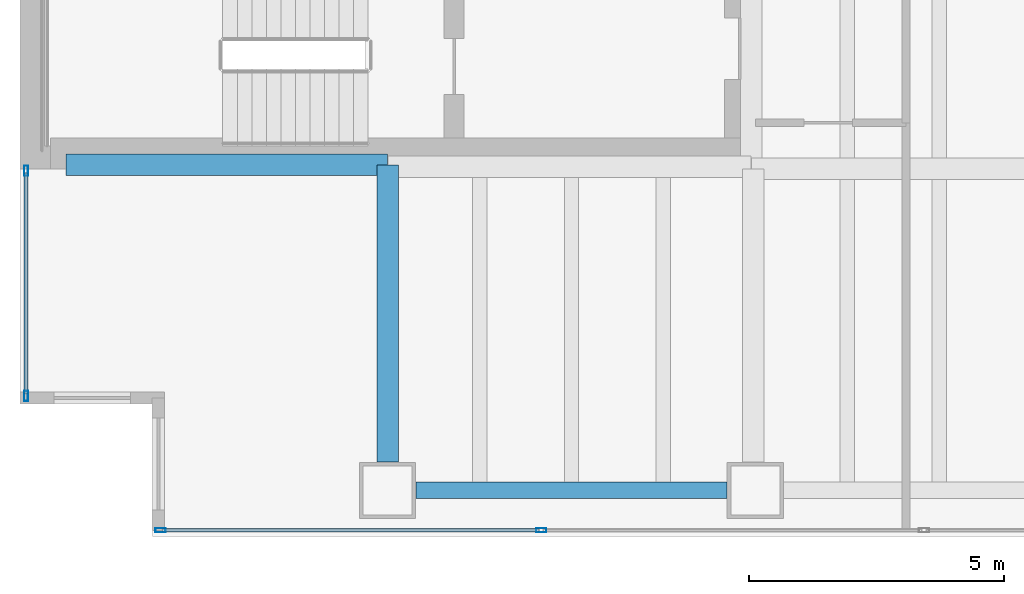
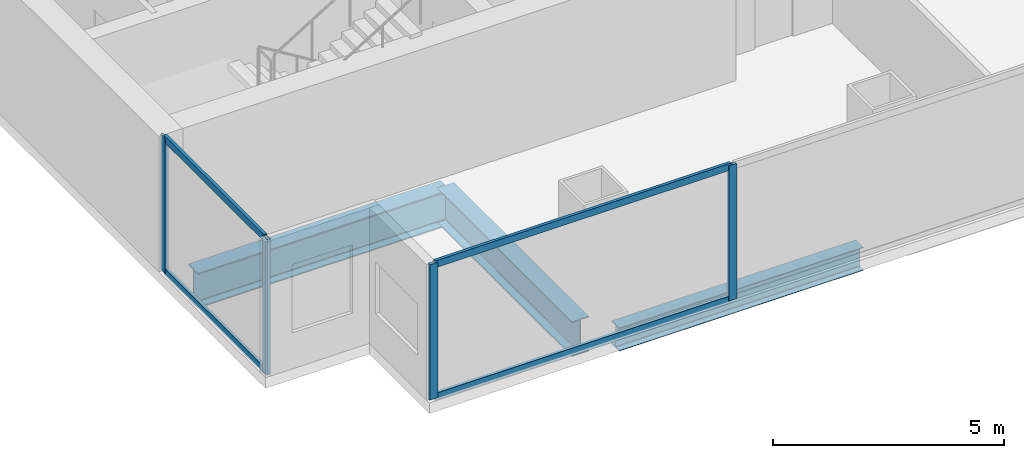
# One storey, part 2 of 25: 8 members, 3 beams, 2 elements without a shape of their own.
"""IFC4 building model written with IfcOpenShell, lengths in metres."""

from ifc_helpers import new_model, si_unit, direction, frame, origin, origin_2d, place, context, subcontext, project, spatial, hollow_rectangle, i_section, extrude, material, material_profile, profile_set, type_object, element, aggregate, save


model = new_model("IFC4")

# Units and contexts
model_context = context("Model", 3, precision=1e-05, world=origin(), true_north=direction((0.0, 1.0)))
body_context = subcontext(model_context, "Body", "Model", "MODEL_VIEW")
ifc_project = project(units=[si_unit("LENGTHUNIT", "METRE"), si_unit("AREAUNIT", "SQUARE_METRE"), si_unit("VOLUMEUNIT", "CUBIC_METRE"), si_unit("PLANEANGLEUNIT", "RADIAN"), si_unit("MASSUNIT", "GRAM", prefix="KILO")], contexts=[model_context])

# Site, building, storey
site_placement = place(None, origin())
site = spatial("IfcSite", under=ifc_project, at=site_placement, CompositionType="ELEMENT")
building_placement = place(site_placement, origin())
building = spatial("IfcBuilding", under=site, at=building_placement, Name="Cobrela Telecom Tower", CompositionType="ELEMENT")
storey_placement = place(building_placement, frame((0.0, 0.0, 35.0)))
storey = spatial("IfcBuildingStorey", under=building, at=storey_placement, Name="L08", CompositionType="ELEMENT", Elevation=35.0)

# Beams
ifc_material_1 = material(Name="Steel ASTM A992 Grade 50", Category="steel")
ifc_material_profile_1 = material_profile(ifc_material_1, i_section(OverallWidth=0.4189453125, OverallDepth=0.927001953125, WebThickness=0.019287109375, FlangeThickness=0.031982421875, FilletRadius=0.02392578125, at=origin_2d()), Name="W36X231")
ifc_profile_set_1 = profile_set([ifc_material_profile_1], Name="Steel ASTM A992 Grade 50")
beam_type_1 = type_object("IfcBeamType", Name="BM-GIRD-02", PredefinedType="USERDEFINED", material=ifc_profile_set_1)
beam_1_placement = place(storey_placement, frame((0.905029296875, 7.280029296875, -0.743408203125), z_axis=(1.0, 0.0, 0.0), x_axis=(0.0, 1.0, 0.0)))
element("IfcBeam", 1, at=beam_1_placement, inside=storey, type_object=beam_type_1, Name="L08 Primary Girder X06", ObjectType="GIRDER", PredefinedType="USERDEFINED", context=body_context, shape_type="SweptSolid", body=[
    extrude(i_section(OverallWidth=0.4189453125, OverallDepth=0.927001953125, WebThickness=0.019287109375, FlangeThickness=0.031982421875, FilletRadius=0.02392578125, at=origin_2d()), origin(), (0.0, 0.0, 1.0), 6.2900390625),
])
beam_2_placement = place(storey_placement, frame((7.199951171875, 1.455078125, -0.743408203125), z_axis=(0.0, 1.0, 0.0), x_axis=(-1.0, 0.0, 0.0)))
element("IfcBeam", 2, at=beam_2_placement, inside=storey, type_object=beam_type_1, Name="L08 Primary Girder Y32", ObjectType="GIRDER", PredefinedType="USERDEFINED", context=body_context, shape_type="SweptSolid", body=[
    extrude(i_section(OverallWidth=0.4189453125, OverallDepth=0.927001953125, WebThickness=0.019287109375, FlangeThickness=0.031982421875, FilletRadius=0.02392578125, at=origin_2d()), origin(), (0.0, 0.0, 1.0), 5.81982421875),
])
ifc_material_profile_2 = material_profile(ifc_material_1, i_section(OverallWidth=0.324951171875, OverallDepth=0.612060546875, WebThickness=0.0126953125, FlangeThickness=0.01904296875, FilletRadius=0.014892578125, at=origin_2d()), Name="W24X104")
ifc_profile_set_2 = profile_set([ifc_material_profile_2], Name="Steel ASTM A992 Grade 50")
beam_type_2 = type_object("IfcBeamType", Name="BM-SPAND-02", PredefinedType="SPANDREL", material=ifc_profile_set_2)
beam_3_placement = place(storey_placement, frame((7.7548828125, 0.89990234375, -0.5859375), z_axis=(1.0, 0.0, 0.0), x_axis=(0.0, 1.0, 0.0)))
element("IfcBeam", 3, at=beam_3_placement, inside=storey, type_object=beam_type_2, Name="L08 Perimeter Spandrel X01", PredefinedType="SPANDREL", context=body_context, shape_type="SweptSolid", body=[
    extrude(i_section(OverallWidth=0.324951171875, OverallDepth=0.612060546875, WebThickness=0.0126953125, FlangeThickness=0.01904296875, FilletRadius=0.014892578125, at=origin_2d()), origin(), (0.0, 0.0, 1.0), 6.090087890625),
])

# Curtain wall, members
ifc_material_2 = material(Name="Anodized Bronze Aluminium 6063-T6", Category="aluminium")
curtain_wall_type = type_object("IfcCurtainWallType", Name="CW-SYS-DATA", PredefinedType="USERDEFINED", material=ifc_material_2)
curtain_wall_1_placement = place(storey_placement, origin())
curtain_wall_1 = element("IfcCurtainWall", 4, at=curtain_wall_1_placement, inside=storey, type_object=curtain_wall_type, Name="L08 Unitised Bronze Curtain Wall 03", ObjectType="UNITISED CURTAIN WALL", PredefinedType="USERDEFINED")
ifc_material_profile_3 = material_profile(ifc_material_2, hollow_rectangle(XDim=0.080078125, YDim=0.199951171875, WallThickness=0.00390625, at=origin_2d()), Name="ALU 80x200x4")
ifc_profile_set_3 = profile_set([ifc_material_profile_3], Name="Anodized Bronze Aluminium 6063-T6")
member_type_1 = type_object("IfcMemberType", Name="CW-SYS-DATA-MUL", PredefinedType="MULLION", material=ifc_profile_set_3)
member_1_placement = place(storey_placement, frame((0.1201171875, 2.75, 0.0), z_axis=(0.0, 0.0, 1.0), x_axis=(-1.0, 0.0, 0.0)))
member_1 = element("IfcMember", 5, at=member_1_placement, type_object=member_type_1, Name="CW-DATA mullion 1", PredefinedType="MULLION", context=body_context, shape_type="SweptSolid", body=[
    extrude(hollow_rectangle(XDim=0.080078125, YDim=0.199951171875, WallThickness=0.00390625, at=origin_2d()), origin(), (0.0, 0.0, 1.0), 3.570068359375),
])
member_2_placement = place(storey_placement, frame((0.1201171875, 7.159912109375, 0.0), z_axis=(0.0, 0.0, 1.0), x_axis=(-1.0, 0.0, 0.0)))
member_2 = element("IfcMember", 6, at=member_2_placement, type_object=member_type_1, Name="CW-DATA mullion 2", PredefinedType="MULLION", context=body_context, shape_type="SweptSolid", body=[
    extrude(hollow_rectangle(XDim=0.080078125, YDim=0.199951171875, WallThickness=0.00390625, at=origin_2d()), origin(), (0.0, 0.0, 1.0), 3.570068359375),
])

curtain_wall_2_placement = place(storey_placement, origin())
curtain_wall_2 = element("IfcCurtainWall", 7, at=curtain_wall_2_placement, inside=storey, type_object=curtain_wall_type, Name="L08 Unitised Bronze Curtain Wall 17", ObjectType="UNITISED CURTAIN WALL", PredefinedType="USERDEFINED")
member_3_placement = place(storey_placement, frame((10.206787109375, 0.1201171875, 0.0), z_axis=(0.0, 0.0, 1.0), x_axis=(0.0, -1.0, 0.0)))
member_3 = element("IfcMember", 8, at=member_3_placement, type_object=member_type_1, Name="CW-DATA mullion 6", PredefinedType="MULLION", context=body_context, shape_type="SweptSolid", body=[
    extrude(hollow_rectangle(XDim=0.080078125, YDim=0.199951171875, WallThickness=0.00390625, at=origin_2d()), origin(), (0.0, 0.0, 1.0), 3.570068359375),
])
member_4_placement = place(storey_placement, frame((2.75, 0.1201171875, 0.0), z_axis=(0.0, 0.0, 1.0), x_axis=(0.0, -1.0, 0.0)))
member_4 = element("IfcMember", 9, at=member_4_placement, type_object=member_type_1, Name="CW-DATA mullion 7", PredefinedType="MULLION", context=body_context, shape_type="SweptSolid", body=[
    extrude(hollow_rectangle(XDim=0.080078125, YDim=0.199951171875, WallThickness=0.00390625, at=origin_2d()), origin(), (0.0, 0.0, 1.0), 3.570068359375),
])

# Member
ifc_material_profile_4 = material_profile(ifc_material_2, hollow_rectangle(XDim=0.074951171875, YDim=0.179931640625, WallThickness=0.00390625, at=origin_2d()), Name="ALU 75x180x4")
ifc_profile_set_4 = profile_set([ifc_material_profile_4], Name="Anodized Bronze Aluminium 6063-T6")
member_type_2 = type_object("IfcMemberType", Name="CW-SYS-DATA-TRN", PredefinedType="USERDEFINED", material=ifc_profile_set_4)
member_5_placement = place(storey_placement, frame((0.1201171875, 2.7900390625, 0.03759765625), z_axis=(0.0, 1.0, 0.0), x_axis=(-1.0, 0.0, 0.0)))
member_5 = element("IfcMember", 10, at=member_5_placement, type_object=member_type_2, Name="CW-DATA transom 1.1", ObjectType="TRANSOM", PredefinedType="USERDEFINED", context=body_context, shape_type="SweptSolid", body=[
    extrude(hollow_rectangle(XDim=0.074951171875, YDim=0.179931640625, WallThickness=0.00390625, at=origin_2d()), origin(), (0.0, 0.0, 1.0), 4.330078125),
])

member_6_placement = place(storey_placement, frame((0.1201171875, 2.7900390625, 3.532470703125), z_axis=(0.0, 1.0, 0.0), x_axis=(-1.0, 0.0, 0.0)))
member_6 = element("IfcMember", 11, at=member_6_placement, type_object=member_type_2, Name="CW-DATA transom 1.2", ObjectType="TRANSOM", PredefinedType="USERDEFINED", context=body_context, shape_type="SweptSolid", body=[
    extrude(hollow_rectangle(XDim=0.074951171875, YDim=0.179931640625, WallThickness=0.00390625, at=origin_2d()), origin(), (0.0, 0.0, 1.0), 4.330078125),
])

aggregate(curtain_wall_1, [member_1, member_2, member_5, member_6])

member_7_placement = place(storey_placement, frame((10.166748046875, 0.1201171875, 0.03759765625), z_axis=(-1.0, 0.0, 0.0), x_axis=(0.0, -1.0, 0.0)))
member_7 = element("IfcMember", 12, at=member_7_placement, type_object=member_type_2, Name="CW-DATA transom 6.1", ObjectType="TRANSOM", PredefinedType="USERDEFINED", context=body_context, shape_type="SweptSolid", body=[
    extrude(hollow_rectangle(XDim=0.074951171875, YDim=0.179931640625, WallThickness=0.00390625, at=origin_2d()), origin(), (0.0, 0.0, 1.0), 7.376708984375),
])

member_8_placement = place(storey_placement, frame((10.166748046875, 0.1201171875, 3.532470703125), z_axis=(-1.0, 0.0, 0.0), x_axis=(0.0, -1.0, 0.0)))
member_8 = element("IfcMember", 13, at=member_8_placement, type_object=member_type_2, Name="CW-DATA transom 6.2", ObjectType="TRANSOM", PredefinedType="USERDEFINED", context=body_context, shape_type="SweptSolid", body=[
    extrude(hollow_rectangle(XDim=0.074951171875, YDim=0.179931640625, WallThickness=0.00390625, at=origin_2d()), origin(), (0.0, 0.0, 1.0), 7.376708984375),
])

aggregate(curtain_wall_2, [member_3, member_4, member_7, member_8])

save(model, "model.ifc")
